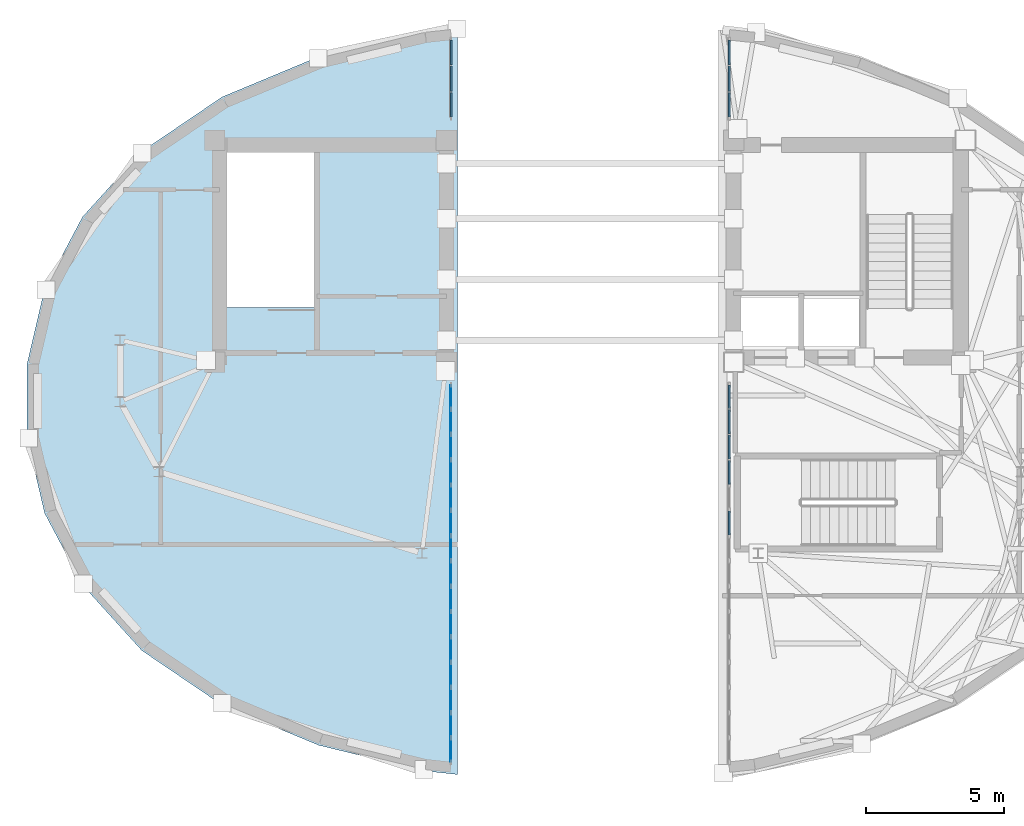
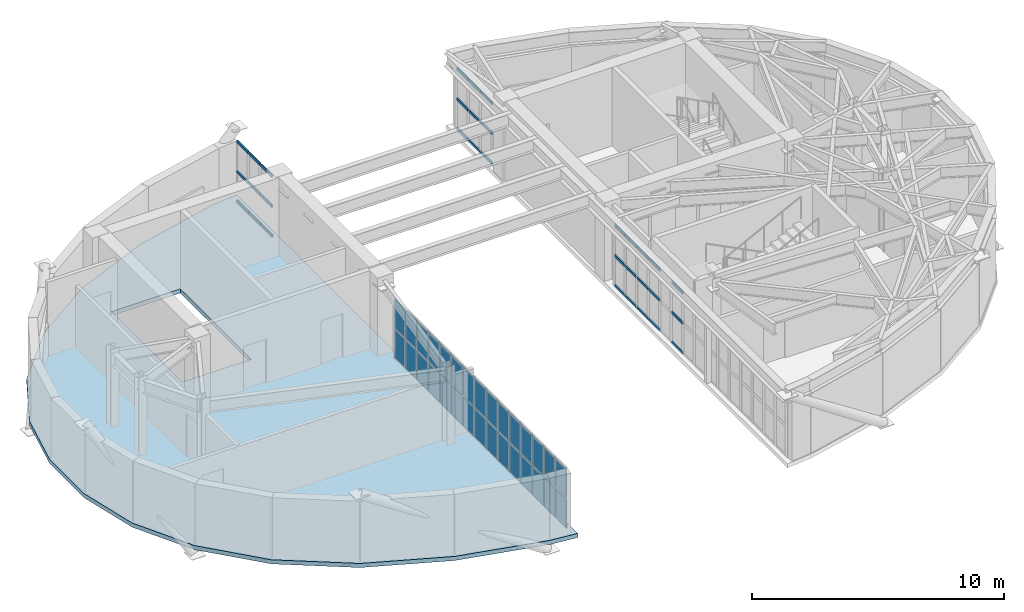
# One storey, part 7 of 13: 33 members, 30 plates, 1 slab, 4 elements without a shape of their own.
"""IFC4 building model written with IfcOpenShell, lengths in metres."""

from ifc_helpers import new_model, si_unit, direction, frame, origin, origin_2d, place, context, subcontext, project, spatial, polyline, rectangle, outline, extrude, material, layer, layer_set, material_profile, profile_set, type_object, element, aggregate, save


model = new_model("IFC4")

# Units and contexts
model_context = context("Model", 3, precision=1e-05, world=origin(), true_north=direction((0.0, 1.0)))
body_context = subcontext(model_context, "Body", "Model", "MODEL_VIEW")
ifc_project = project(units=[si_unit("LENGTHUNIT", "METRE"), si_unit("AREAUNIT", "SQUARE_METRE"), si_unit("VOLUMEUNIT", "CUBIC_METRE"), si_unit("PLANEANGLEUNIT", "RADIAN"), si_unit("MASSUNIT", "GRAM", prefix="KILO")], contexts=[model_context])

# Site, building, storey
site_placement = place(None, origin())
site = spatial("IfcSite", under=ifc_project, at=site_placement, CompositionType="ELEMENT")
building_placement = place(site_placement, origin())
building = spatial("IfcBuilding", under=site, at=building_placement, Name="Keldmark Tower", CompositionType="ELEMENT")
storey_placement = place(building_placement, frame((0.0, 0.0, 280.60009765625)))
storey = spatial("IfcBuildingStorey", under=building, at=storey_placement, Name="L79", CompositionType="ELEMENT", Elevation=280.60009765625)

# Curtain wall, members
ifc_material_1 = material(Name="Unitized Thermally Broken Aluminum and Triple Low-E Glazing", Category="aluminium")
ifc_layer_1 = layer(ifc_material_1, 0.219970703125)
ifc_layer_set_1 = layer_set([ifc_layer_1], Name="Unitized Thermally Broken Aluminum and Triple Low-E Glazing")
curtain_wall_type = type_object("IfcCurtainWallType", Name="Split-Top Crown Lantern Curtain Wall System", PredefinedType="NOTDEFINED", material=ifc_layer_set_1)
curtain_wall_1_placement = place(storey_placement, origin())
curtain_wall_1 = element("IfcCurtainWall", 1, at=curtain_wall_1_placement, inside=storey, type_object=curtain_wall_type, Name="L79 Split-Top Crown Lantern Curtain Wall System CW-L79-ES14-0", PredefinedType="NOTDEFINED")
ifc_material_2 = material(Name="Extruded Aluminum Alloy 6063-T6", Category="aluminium")
ifc_material_profile = material_profile(ifc_material_2, rectangle(XDim=0.06005859375, YDim=0.139892578125, at=origin_2d()), Name="CWT60X140")
ifc_profile_set = profile_set([ifc_material_profile], Name="Extruded Aluminum Alloy 6063-T6")
member_type = type_object("IfcMemberType", Name="Curtain Wall Horizontal Transom 60x140", PredefinedType="USERDEFINED", material=ifc_profile_set)
member_1_placement = place(storey_placement, frame((5.0400390625, 13.064697265625, 0.02978515625), z_axis=(0.0, -1.0, 0.0), x_axis=(1.0, 0.0, 0.0)))
member_1 = element("IfcMember", 2, at=member_1_placement, type_object=member_type, Name="CW transom 1.1", ObjectType="TRANSOM", PredefinedType="USERDEFINED", context=body_context, shape_type="SweptSolid", body=[
    extrude(rectangle(XDim=0.06005859375, YDim=0.139892578125, at=origin_2d()), origin(), (0.0, 0.0, 1.0), 0.875244140625),
])
member_2_placement = place(storey_placement, frame((5.0400390625, 13.064697265625, 1.48291015625), z_axis=(0.0, -1.0, 0.0), x_axis=(1.0, 0.0, 0.0)))
member_2 = element("IfcMember", 3, at=member_2_placement, type_object=member_type, Name="CW transom 1.2", ObjectType="TRANSOM", PredefinedType="USERDEFINED", context=body_context, shape_type="SweptSolid", body=[
    extrude(rectangle(XDim=0.06005859375, YDim=0.139892578125, at=origin_2d()), origin(), (0.0, 0.0, 1.0), 0.875244140625),
])
member_3_placement = place(storey_placement, frame((5.0400390625, 13.064697265625, 2.935791015625), z_axis=(0.0, -1.0, 0.0), x_axis=(1.0, 0.0, 0.0)))
member_3 = element("IfcMember", 4, at=member_3_placement, type_object=member_type, Name="CW transom 1.3", ObjectType="TRANSOM", PredefinedType="USERDEFINED", context=body_context, shape_type="SweptSolid", body=[
    extrude(rectangle(XDim=0.06005859375, YDim=0.139892578125, at=origin_2d()), origin(), (0.0, 0.0, 1.0), 0.875244140625),
])
member_4_placement = place(storey_placement, frame((5.0400390625, 12.12939453125, 0.02978515625), z_axis=(0.0, -1.0, 0.0), x_axis=(1.0, 0.0, 0.0)))
member_4 = element("IfcMember", 5, at=member_4_placement, type_object=member_type, Name="CW transom 2.1", ObjectType="TRANSOM", PredefinedType="USERDEFINED", context=body_context, shape_type="SweptSolid", body=[
    extrude(rectangle(XDim=0.06005859375, YDim=0.139892578125, at=origin_2d()), origin(), (0.0, 0.0, 1.0), 0.905517578125),
])
member_5_placement = place(storey_placement, frame((5.0400390625, 12.12939453125, 1.48291015625), z_axis=(0.0, -1.0, 0.0), x_axis=(1.0, 0.0, 0.0)))
member_5 = element("IfcMember", 6, at=member_5_placement, type_object=member_type, Name="CW transom 2.2", ObjectType="TRANSOM", PredefinedType="USERDEFINED", context=body_context, shape_type="SweptSolid", body=[
    extrude(rectangle(XDim=0.06005859375, YDim=0.139892578125, at=origin_2d()), origin(), (0.0, 0.0, 1.0), 0.905517578125),
])
member_6_placement = place(storey_placement, frame((5.0400390625, 12.12939453125, 2.935791015625), z_axis=(0.0, -1.0, 0.0), x_axis=(1.0, 0.0, 0.0)))
member_6 = element("IfcMember", 7, at=member_6_placement, type_object=member_type, Name="CW transom 2.3", ObjectType="TRANSOM", PredefinedType="USERDEFINED", context=body_context, shape_type="SweptSolid", body=[
    extrude(rectangle(XDim=0.06005859375, YDim=0.139892578125, at=origin_2d()), origin(), (0.0, 0.0, 1.0), 0.905517578125),
])
member_7_placement = place(storey_placement, frame((5.0400390625, 11.163818359375, 0.02978515625), z_axis=(0.0, -1.0, 0.0), x_axis=(1.0, 0.0, 0.0)))
member_7 = element("IfcMember", 8, at=member_7_placement, type_object=member_type, Name="CW transom 3.1", ObjectType="TRANSOM", PredefinedType="USERDEFINED", context=body_context, shape_type="SweptSolid", body=[
    extrude(rectangle(XDim=0.06005859375, YDim=0.139892578125, at=origin_2d()), origin(), (0.0, 0.0, 1.0), 0.875244140625),
])
member_8_placement = place(storey_placement, frame((5.0400390625, 11.163818359375, 1.48291015625), z_axis=(0.0, -1.0, 0.0), x_axis=(1.0, 0.0, 0.0)))
member_8 = element("IfcMember", 9, at=member_8_placement, type_object=member_type, Name="CW transom 3.2", ObjectType="TRANSOM", PredefinedType="USERDEFINED", context=body_context, shape_type="SweptSolid", body=[
    extrude(rectangle(XDim=0.06005859375, YDim=0.139892578125, at=origin_2d()), origin(), (0.0, 0.0, 1.0), 0.875244140625),
])
member_9_placement = place(storey_placement, frame((5.0400390625, 11.163818359375, 2.935791015625), z_axis=(0.0, -1.0, 0.0), x_axis=(1.0, 0.0, 0.0)))
member_9 = element("IfcMember", 10, at=member_9_placement, type_object=member_type, Name="CW transom 3.3", ObjectType="TRANSOM", PredefinedType="USERDEFINED", context=body_context, shape_type="SweptSolid", body=[
    extrude(rectangle(XDim=0.06005859375, YDim=0.139892578125, at=origin_2d()), origin(), (0.0, 0.0, 1.0), 0.875244140625),
])
aggregate(curtain_wall_1, [member_1, member_2, member_3, member_4, member_5, member_6, member_7, member_8, member_9])

curtain_wall_2_placement = place(storey_placement, origin())
curtain_wall_2 = element("IfcCurtainWall", 11, at=curtain_wall_2_placement, inside=storey, type_object=curtain_wall_type, Name="L79 Split-Top Crown Lantern Curtain Wall System CW-L79-ES14-1", PredefinedType="NOTDEFINED")
member_10_placement = place(storey_placement, frame((5.0400390625, 0.5615234375, 0.02978515625), z_axis=(0.0, -1.0, 0.0), x_axis=(1.0, 0.0, 0.0)))
member_10 = element("IfcMember", 12, at=member_10_placement, type_object=member_type, Name="CW transom 1.1", ObjectType="TRANSOM", PredefinedType="USERDEFINED", context=body_context, shape_type="SweptSolid", body=[
    extrude(rectangle(XDim=0.06005859375, YDim=0.139892578125, at=origin_2d()), origin(), (0.0, 0.0, 1.0), 0.826416015625),
])
member_11_placement = place(storey_placement, frame((5.0400390625, 0.5615234375, 1.48291015625), z_axis=(0.0, -1.0, 0.0), x_axis=(1.0, 0.0, 0.0)))
member_11 = element("IfcMember", 13, at=member_11_placement, type_object=member_type, Name="CW transom 1.2", ObjectType="TRANSOM", PredefinedType="USERDEFINED", context=body_context, shape_type="SweptSolid", body=[
    extrude(rectangle(XDim=0.06005859375, YDim=0.139892578125, at=origin_2d()), origin(), (0.0, 0.0, 1.0), 0.826416015625),
])
member_12_placement = place(storey_placement, frame((5.0400390625, 0.5615234375, 2.935791015625), z_axis=(0.0, -1.0, 0.0), x_axis=(1.0, 0.0, 0.0)))
member_12 = element("IfcMember", 14, at=member_12_placement, type_object=member_type, Name="CW transom 1.3", ObjectType="TRANSOM", PredefinedType="USERDEFINED", context=body_context, shape_type="SweptSolid", body=[
    extrude(rectangle(XDim=0.06005859375, YDim=0.139892578125, at=origin_2d()), origin(), (0.0, 0.0, 1.0), 0.826416015625),
])
member_13_placement = place(storey_placement, frame((5.0400390625, -0.324951171875, 0.02978515625), z_axis=(0.0, -1.0, 0.0), x_axis=(1.0, 0.0, 0.0)))
member_13 = element("IfcMember", 15, at=member_13_placement, type_object=member_type, Name="CW transom 2.1", ObjectType="TRANSOM", PredefinedType="USERDEFINED", context=body_context, shape_type="SweptSolid", body=[
    extrude(rectangle(XDim=0.06005859375, YDim=0.139892578125, at=origin_2d()), origin(), (0.0, 0.0, 1.0), 0.8564453125),
])
member_14_placement = place(storey_placement, frame((5.0400390625, -0.324951171875, 1.48291015625), z_axis=(0.0, -1.0, 0.0), x_axis=(1.0, 0.0, 0.0)))
member_14 = element("IfcMember", 16, at=member_14_placement, type_object=member_type, Name="CW transom 2.2", ObjectType="TRANSOM", PredefinedType="USERDEFINED", context=body_context, shape_type="SweptSolid", body=[
    extrude(rectangle(XDim=0.06005859375, YDim=0.139892578125, at=origin_2d()), origin(), (0.0, 0.0, 1.0), 0.8564453125),
])
member_15_placement = place(storey_placement, frame((5.0400390625, -0.324951171875, 2.935791015625), z_axis=(0.0, -1.0, 0.0), x_axis=(1.0, 0.0, 0.0)))
member_15 = element("IfcMember", 17, at=member_15_placement, type_object=member_type, Name="CW transom 2.3", ObjectType="TRANSOM", PredefinedType="USERDEFINED", context=body_context, shape_type="SweptSolid", body=[
    extrude(rectangle(XDim=0.06005859375, YDim=0.139892578125, at=origin_2d()), origin(), (0.0, 0.0, 1.0), 0.8564453125),
])
member_16_placement = place(storey_placement, frame((5.0400390625, -1.241455078125, 0.02978515625), z_axis=(0.0, -1.0, 0.0), x_axis=(1.0, 0.0, 0.0)))
member_16 = element("IfcMember", 18, at=member_16_placement, type_object=member_type, Name="CW transom 3.1", ObjectType="TRANSOM", PredefinedType="USERDEFINED", context=body_context, shape_type="SweptSolid", body=[
    extrude(rectangle(XDim=0.06005859375, YDim=0.139892578125, at=origin_2d()), origin(), (0.0, 0.0, 1.0), 0.856201171875),
])
member_17_placement = place(storey_placement, frame((5.0400390625, -1.241455078125, 1.48291015625), z_axis=(0.0, -1.0, 0.0), x_axis=(1.0, 0.0, 0.0)))
member_17 = element("IfcMember", 19, at=member_17_placement, type_object=member_type, Name="CW transom 3.2", ObjectType="TRANSOM", PredefinedType="USERDEFINED", context=body_context, shape_type="SweptSolid", body=[
    extrude(rectangle(XDim=0.06005859375, YDim=0.139892578125, at=origin_2d()), origin(), (0.0, 0.0, 1.0), 0.856201171875),
])
member_18_placement = place(storey_placement, frame((5.0400390625, -1.241455078125, 2.935791015625), z_axis=(0.0, -1.0, 0.0), x_axis=(1.0, 0.0, 0.0)))
member_18 = element("IfcMember", 20, at=member_18_placement, type_object=member_type, Name="CW transom 3.3", ObjectType="TRANSOM", PredefinedType="USERDEFINED", context=body_context, shape_type="SweptSolid", body=[
    extrude(rectangle(XDim=0.06005859375, YDim=0.139892578125, at=origin_2d()), origin(), (0.0, 0.0, 1.0), 0.856201171875),
])
member_19_placement = place(storey_placement, frame((5.0400390625, -2.15771484375, 0.02978515625), z_axis=(0.0, -1.0, 0.0), x_axis=(1.0, 0.0, 0.0)))
member_19 = element("IfcMember", 21, at=member_19_placement, type_object=member_type, Name="CW transom 4.1", ObjectType="TRANSOM", PredefinedType="USERDEFINED", context=body_context, shape_type="SweptSolid", body=[
    extrude(rectangle(XDim=0.06005859375, YDim=0.139892578125, at=origin_2d()), origin(), (0.0, 0.0, 1.0), 0.8564453125),
])
member_20_placement = place(storey_placement, frame((5.0400390625, -2.15771484375, 1.48291015625), z_axis=(0.0, -1.0, 0.0), x_axis=(1.0, 0.0, 0.0)))
member_20 = element("IfcMember", 22, at=member_20_placement, type_object=member_type, Name="CW transom 4.2", ObjectType="TRANSOM", PredefinedType="USERDEFINED", context=body_context, shape_type="SweptSolid", body=[
    extrude(rectangle(XDim=0.06005859375, YDim=0.139892578125, at=origin_2d()), origin(), (0.0, 0.0, 1.0), 0.8564453125),
])
member_21_placement = place(storey_placement, frame((5.0400390625, -2.15771484375, 2.935791015625), z_axis=(0.0, -1.0, 0.0), x_axis=(1.0, 0.0, 0.0)))
member_21 = element("IfcMember", 23, at=member_21_placement, type_object=member_type, Name="CW transom 4.3", ObjectType="TRANSOM", PredefinedType="USERDEFINED", context=body_context, shape_type="SweptSolid", body=[
    extrude(rectangle(XDim=0.06005859375, YDim=0.139892578125, at=origin_2d()), origin(), (0.0, 0.0, 1.0), 0.8564453125),
])
member_22_placement = place(storey_placement, frame((5.0400390625, -3.990478515625, 0.02978515625), z_axis=(0.0, -1.0, 0.0), x_axis=(1.0, 0.0, 0.0)))
member_22 = element("IfcMember", 24, at=member_22_placement, type_object=member_type, Name="CW transom 6.1", ObjectType="TRANSOM", PredefinedType="USERDEFINED", context=body_context, shape_type="SweptSolid", body=[
    extrude(rectangle(XDim=0.06005859375, YDim=0.139892578125, at=origin_2d()), origin(), (0.0, 0.0, 1.0), 0.8564453125),
])
member_23_placement = place(storey_placement, frame((5.0400390625, -3.990478515625, 1.48291015625), z_axis=(0.0, -1.0, 0.0), x_axis=(1.0, 0.0, 0.0)))
member_23 = element("IfcMember", 25, at=member_23_placement, type_object=member_type, Name="CW transom 6.2", ObjectType="TRANSOM", PredefinedType="USERDEFINED", context=body_context, shape_type="SweptSolid", body=[
    extrude(rectangle(XDim=0.06005859375, YDim=0.139892578125, at=origin_2d()), origin(), (0.0, 0.0, 1.0), 0.8564453125),
])
member_24_placement = place(storey_placement, frame((5.0400390625, -3.990478515625, 2.935791015625), z_axis=(0.0, -1.0, 0.0), x_axis=(1.0, 0.0, 0.0)))
member_24 = element("IfcMember", 26, at=member_24_placement, type_object=member_type, Name="CW transom 6.3", ObjectType="TRANSOM", PredefinedType="USERDEFINED", context=body_context, shape_type="SweptSolid", body=[
    extrude(rectangle(XDim=0.06005859375, YDim=0.139892578125, at=origin_2d()), origin(), (0.0, 0.0, 1.0), 0.8564453125),
])
aggregate(curtain_wall_2, [member_10, member_11, member_12, member_13, member_14, member_15, member_16, member_17, member_18, member_19, member_20, member_21, member_22, member_23, member_24])

curtain_wall_3_placement = place(storey_placement, origin())
curtain_wall_3 = element("IfcCurtainWall", 27, at=curtain_wall_3_placement, inside=storey, type_object=curtain_wall_type, Name="L79 Split-Top Crown Lantern Curtain Wall System CW-L79-WS14-1", PredefinedType="NOTDEFINED")
member_25_placement = place(storey_placement, frame((-5.0400390625, 10.28857421875, 0.02978515625), z_axis=(0.0, 1.0, 0.0), x_axis=(-1.0, 0.0, 0.0)))
member_25 = element("IfcMember", 28, at=member_25_placement, type_object=member_type, Name="CW transom 1.1", ObjectType="TRANSOM", PredefinedType="USERDEFINED", context=body_context, shape_type="SweptSolid", body=[
    extrude(rectangle(XDim=0.06005859375, YDim=0.139892578125, at=origin_2d()), origin(), (0.0, 0.0, 1.0), 0.875244140625),
])
member_26_placement = place(storey_placement, frame((-5.0400390625, 10.28857421875, 1.48291015625), z_axis=(0.0, 1.0, 0.0), x_axis=(-1.0, 0.0, 0.0)))
member_26 = element("IfcMember", 29, at=member_26_placement, type_object=member_type, Name="CW transom 1.2", ObjectType="TRANSOM", PredefinedType="USERDEFINED", context=body_context, shape_type="SweptSolid", body=[
    extrude(rectangle(XDim=0.06005859375, YDim=0.139892578125, at=origin_2d()), origin(), (0.0, 0.0, 1.0), 0.875244140625),
])
member_27_placement = place(storey_placement, frame((-5.0400390625, 10.28857421875, 2.935791015625), z_axis=(0.0, 1.0, 0.0), x_axis=(-1.0, 0.0, 0.0)))
member_27 = element("IfcMember", 30, at=member_27_placement, type_object=member_type, Name="CW transom 1.3", ObjectType="TRANSOM", PredefinedType="USERDEFINED", context=body_context, shape_type="SweptSolid", body=[
    extrude(rectangle(XDim=0.06005859375, YDim=0.139892578125, at=origin_2d()), origin(), (0.0, 0.0, 1.0), 0.875244140625),
])
member_28_placement = place(storey_placement, frame((-5.0400390625, 11.223876953125, 0.02978515625), z_axis=(0.0, 1.0, 0.0), x_axis=(-1.0, 0.0, 0.0)))
member_28 = element("IfcMember", 31, at=member_28_placement, type_object=member_type, Name="CW transom 2.1", ObjectType="TRANSOM", PredefinedType="USERDEFINED", context=body_context, shape_type="SweptSolid", body=[
    extrude(rectangle(XDim=0.06005859375, YDim=0.139892578125, at=origin_2d()), origin(), (0.0, 0.0, 1.0), 0.905517578125),
])
member_29_placement = place(storey_placement, frame((-5.0400390625, 11.223876953125, 1.48291015625), z_axis=(0.0, 1.0, 0.0), x_axis=(-1.0, 0.0, 0.0)))
member_29 = element("IfcMember", 32, at=member_29_placement, type_object=member_type, Name="CW transom 2.2", ObjectType="TRANSOM", PredefinedType="USERDEFINED", context=body_context, shape_type="SweptSolid", body=[
    extrude(rectangle(XDim=0.06005859375, YDim=0.139892578125, at=origin_2d()), origin(), (0.0, 0.0, 1.0), 0.905517578125),
])
member_30_placement = place(storey_placement, frame((-5.0400390625, 11.223876953125, 2.935791015625), z_axis=(0.0, 1.0, 0.0), x_axis=(-1.0, 0.0, 0.0)))
member_30 = element("IfcMember", 33, at=member_30_placement, type_object=member_type, Name="CW transom 2.3", ObjectType="TRANSOM", PredefinedType="USERDEFINED", context=body_context, shape_type="SweptSolid", body=[
    extrude(rectangle(XDim=0.06005859375, YDim=0.139892578125, at=origin_2d()), origin(), (0.0, 0.0, 1.0), 0.905517578125),
])
member_31_placement = place(storey_placement, frame((-5.0400390625, 12.189453125, 0.02978515625), z_axis=(0.0, 1.0, 0.0), x_axis=(-1.0, 0.0, 0.0)))
member_31 = element("IfcMember", 34, at=member_31_placement, type_object=member_type, Name="CW transom 3.1", ObjectType="TRANSOM", PredefinedType="USERDEFINED", context=body_context, shape_type="SweptSolid", body=[
    extrude(rectangle(XDim=0.06005859375, YDim=0.139892578125, at=origin_2d()), origin(), (0.0, 0.0, 1.0), 0.875244140625),
])
member_32_placement = place(storey_placement, frame((-5.0400390625, 12.189453125, 1.48291015625), z_axis=(0.0, 1.0, 0.0), x_axis=(-1.0, 0.0, 0.0)))
member_32 = element("IfcMember", 35, at=member_32_placement, type_object=member_type, Name="CW transom 3.2", ObjectType="TRANSOM", PredefinedType="USERDEFINED", context=body_context, shape_type="SweptSolid", body=[
    extrude(rectangle(XDim=0.06005859375, YDim=0.139892578125, at=origin_2d()), origin(), (0.0, 0.0, 1.0), 0.875244140625),
])
member_33_placement = place(storey_placement, frame((-5.0400390625, 12.189453125, 2.935791015625), z_axis=(0.0, 1.0, 0.0), x_axis=(-1.0, 0.0, 0.0)))
member_33 = element("IfcMember", 36, at=member_33_placement, type_object=member_type, Name="CW transom 3.3", ObjectType="TRANSOM", PredefinedType="USERDEFINED", context=body_context, shape_type="SweptSolid", body=[
    extrude(rectangle(XDim=0.06005859375, YDim=0.139892578125, at=origin_2d()), origin(), (0.0, 0.0, 1.0), 0.875244140625),
])
aggregate(curtain_wall_3, [member_25, member_26, member_27, member_28, member_29, member_30, member_31, member_32, member_33])

# Slab
ifc_material_3 = material(Name="Concrete C35/45", Category="concrete")
ifc_layer_2 = layer(ifc_material_3, 0.199951171875)
ifc_layer_set_2 = layer_set([ifc_layer_2], Name="Concrete C35/45")
slab_type = type_object("IfcSlabType", Name="Low-Rise Office Composite Slab 200 mm", PredefinedType="FLOOR", material=ifc_layer_set_2)
slab_placement = place(storey_placement, frame((0.0, 0.0, -0.2001953125)))
element("IfcSlab", 37, at=slab_placement, inside=storey, type_object=slab_type, Name="L79 West Crown Plant Floor Slab", PredefinedType="FLOOR", context=body_context, shape_type="SweptSolid", body=[
    extrude(outline(polyline([(-5.994140625, -13.403564453125), (-9.8291015625, -12.473388671875), (-13.327880859375, -11.015869140625), (-16.239990234375, -9.04052734375), (-18.388916015625, -6.667236328125), (-19.760009765625, -4.06591796875), (-20.392333984375, -1.3623046875), (-20.392333984375, 1.3623046875), (-19.760009765625, 4.06591796875), (-18.388916015625, 6.667236328125), (-16.239990234375, 9.04052734375), (-13.327880859375, 11.015869140625), (-9.8291015625, 12.473388671875), (-5.994140625, 13.403564453125), (-4.800048828125, 13.531982421875), (-4.800048828125, -13.531982421875), (-5.994140625, -13.403564453125)]), holes=[polyline([(-10.0, 3.385009765625), (-10.0, 9.0), (-13.14990234375, 9.0), (-13.14990234375, 3.385009765625), (-10.0, 3.385009765625)])]), origin(), (0.0, 0.0, 1.0), 0.2001953125),
])

# Curtain wall, plates
curtain_wall_4_placement = place(storey_placement, origin())
curtain_wall_4 = element("IfcCurtainWall", 38, at=curtain_wall_4_placement, inside=storey, type_object=curtain_wall_type, Name="L79 Split-Top Crown Lantern Curtain Wall System CW-L79-WS14-0", PredefinedType="NOTDEFINED")
ifc_material_4 = material(Name="Triple Silver Low-E Insulated Glass Unit", Category="glass")
ifc_layer_3 = layer(ifc_material_4, 0.035888671875)
ifc_layer_set_3 = layer_set([ifc_layer_3], Name="Triple Silver Low-E Insulated Glass Unit")
plate_type = type_object("IfcPlateType", Name="Triple Low-E Vision Glazing Panel 36 mm", PredefinedType="CURTAIN_PANEL", material=ifc_layer_set_3)
plate_1_placement = place(storey_placement, frame((-5.0400390625, -12.651611328125, 0.059814453125), z_axis=(0.0, 0.0, 1.0), x_axis=(0.0, 1.0, 0.0)))
plate_1 = element("IfcPlate", 39, at=plate_1_placement, type_object=plate_type, Name="CW panel 1.1", PredefinedType="CURTAIN_PANEL", context=body_context, shape_type="SweptSolid", body=[
    extrude(rectangle(XDim=0.826416015625, YDim=0.035888671875, at=origin_2d()), origin(), (0.0, 0.0, 1.0), 1.39306640625),
])
plate_2_placement = place(storey_placement, frame((-5.0400390625, -12.651611328125, 1.512939453125), z_axis=(0.0, 0.0, 1.0), x_axis=(0.0, 1.0, 0.0)))
plate_2 = element("IfcPlate", 40, at=plate_2_placement, type_object=plate_type, Name="CW panel 1.2", PredefinedType="CURTAIN_PANEL", context=body_context, shape_type="SweptSolid", body=[
    extrude(rectangle(XDim=0.826416015625, YDim=0.035888671875, at=origin_2d()), origin(), (0.0, 0.0, 1.0), 1.39306640625),
])
plate_3_placement = place(storey_placement, frame((-5.0400390625, -11.750244140625, 0.059814453125), z_axis=(0.0, 0.0, 1.0), x_axis=(0.0, 1.0, 0.0)))
plate_3 = element("IfcPlate", 41, at=plate_3_placement, type_object=plate_type, Name="CW panel 2.1", PredefinedType="CURTAIN_PANEL", context=body_context, shape_type="SweptSolid", body=[
    extrude(rectangle(XDim=0.8564453125, YDim=0.035888671875, at=origin_2d()), origin(), (0.0, 0.0, 1.0), 1.39306640625),
])
plate_4_placement = place(storey_placement, frame((-5.0400390625, -11.750244140625, 1.512939453125), z_axis=(0.0, 0.0, 1.0), x_axis=(0.0, 1.0, 0.0)))
plate_4 = element("IfcPlate", 42, at=plate_4_placement, type_object=plate_type, Name="CW panel 2.2", PredefinedType="CURTAIN_PANEL", context=body_context, shape_type="SweptSolid", body=[
    extrude(rectangle(XDim=0.8564453125, YDim=0.035888671875, at=origin_2d()), origin(), (0.0, 0.0, 1.0), 1.39306640625),
])
plate_5_placement = place(storey_placement, frame((-5.0400390625, -10.833740234375, 0.059814453125), z_axis=(0.0, 0.0, 1.0), x_axis=(0.0, 1.0, 0.0)))
plate_5 = element("IfcPlate", 43, at=plate_5_placement, type_object=plate_type, Name="CW panel 3.1", PredefinedType="CURTAIN_PANEL", context=body_context, shape_type="SweptSolid", body=[
    extrude(rectangle(XDim=0.8564453125, YDim=0.035888671875, at=origin_2d()), origin(), (0.0, 0.0, 1.0), 1.39306640625),
])
plate_6_placement = place(storey_placement, frame((-5.0400390625, -10.833740234375, 1.512939453125), z_axis=(0.0, 0.0, 1.0), x_axis=(0.0, 1.0, 0.0)))
plate_6 = element("IfcPlate", 44, at=plate_6_placement, type_object=plate_type, Name="CW panel 3.2", PredefinedType="CURTAIN_PANEL", context=body_context, shape_type="SweptSolid", body=[
    extrude(rectangle(XDim=0.8564453125, YDim=0.035888671875, at=origin_2d()), origin(), (0.0, 0.0, 1.0), 1.39306640625),
])
plate_7_placement = place(storey_placement, frame((-5.0400390625, -9.917236328125, 0.059814453125), z_axis=(0.0, 0.0, 1.0), x_axis=(0.0, 1.0, 0.0)))
plate_7 = element("IfcPlate", 45, at=plate_7_placement, type_object=plate_type, Name="CW panel 4.1", PredefinedType="CURTAIN_PANEL", context=body_context, shape_type="SweptSolid", body=[
    extrude(rectangle(XDim=0.8564453125, YDim=0.035888671875, at=origin_2d()), origin(), (0.0, 0.0, 1.0), 1.39306640625),
])
plate_8_placement = place(storey_placement, frame((-5.0400390625, -9.917236328125, 1.512939453125), z_axis=(0.0, 0.0, 1.0), x_axis=(0.0, 1.0, 0.0)))
plate_8 = element("IfcPlate", 46, at=plate_8_placement, type_object=plate_type, Name="CW panel 4.2", PredefinedType="CURTAIN_PANEL", context=body_context, shape_type="SweptSolid", body=[
    extrude(rectangle(XDim=0.8564453125, YDim=0.035888671875, at=origin_2d()), origin(), (0.0, 0.0, 1.0), 1.39306640625),
])
plate_9_placement = place(storey_placement, frame((-5.0400390625, -9.0009765625, 0.059814453125), z_axis=(0.0, 0.0, 1.0), x_axis=(0.0, 1.0, 0.0)))
plate_9 = element("IfcPlate", 47, at=plate_9_placement, type_object=plate_type, Name="CW panel 5.1", PredefinedType="CURTAIN_PANEL", context=body_context, shape_type="SweptSolid", body=[
    extrude(rectangle(XDim=0.8564453125, YDim=0.035888671875, at=origin_2d()), origin(), (0.0, 0.0, 1.0), 1.39306640625),
])
plate_10_placement = place(storey_placement, frame((-5.0400390625, -9.0009765625, 1.512939453125), z_axis=(0.0, 0.0, 1.0), x_axis=(0.0, 1.0, 0.0)))
plate_10 = element("IfcPlate", 48, at=plate_10_placement, type_object=plate_type, Name="CW panel 5.2", PredefinedType="CURTAIN_PANEL", context=body_context, shape_type="SweptSolid", body=[
    extrude(rectangle(XDim=0.8564453125, YDim=0.035888671875, at=origin_2d()), origin(), (0.0, 0.0, 1.0), 1.39306640625),
])
plate_11_placement = place(storey_placement, frame((-5.0400390625, -8.08447265625, 0.059814453125), z_axis=(0.0, 0.0, 1.0), x_axis=(0.0, 1.0, 0.0)))
plate_11 = element("IfcPlate", 49, at=plate_11_placement, type_object=plate_type, Name="CW panel 6.1", PredefinedType="CURTAIN_PANEL", context=body_context, shape_type="SweptSolid", body=[
    extrude(rectangle(XDim=0.8564453125, YDim=0.035888671875, at=origin_2d()), origin(), (0.0, 0.0, 1.0), 1.39306640625),
])
plate_12_placement = place(storey_placement, frame((-5.0400390625, -8.08447265625, 1.512939453125), z_axis=(0.0, 0.0, 1.0), x_axis=(0.0, 1.0, 0.0)))
plate_12 = element("IfcPlate", 50, at=plate_12_placement, type_object=plate_type, Name="CW panel 6.2", PredefinedType="CURTAIN_PANEL", context=body_context, shape_type="SweptSolid", body=[
    extrude(rectangle(XDim=0.8564453125, YDim=0.035888671875, at=origin_2d()), origin(), (0.0, 0.0, 1.0), 1.39306640625),
])
plate_13_placement = place(storey_placement, frame((-5.0400390625, -7.16796875, 0.059814453125), z_axis=(0.0, 0.0, 1.0), x_axis=(0.0, 1.0, 0.0)))
plate_13 = element("IfcPlate", 51, at=plate_13_placement, type_object=plate_type, Name="CW panel 7.1", PredefinedType="CURTAIN_PANEL", context=body_context, shape_type="SweptSolid", body=[
    extrude(rectangle(XDim=0.8564453125, YDim=0.035888671875, at=origin_2d()), origin(), (0.0, 0.0, 1.0), 1.39306640625),
])
plate_14_placement = place(storey_placement, frame((-5.0400390625, -7.16796875, 1.512939453125), z_axis=(0.0, 0.0, 1.0), x_axis=(0.0, 1.0, 0.0)))
plate_14 = element("IfcPlate", 52, at=plate_14_placement, type_object=plate_type, Name="CW panel 7.2", PredefinedType="CURTAIN_PANEL", context=body_context, shape_type="SweptSolid", body=[
    extrude(rectangle(XDim=0.8564453125, YDim=0.035888671875, at=origin_2d()), origin(), (0.0, 0.0, 1.0), 1.39306640625),
])
plate_15_placement = place(storey_placement, frame((-5.0400390625, -6.251708984375, 0.059814453125), z_axis=(0.0, 0.0, 1.0), x_axis=(0.0, 1.0, 0.0)))
plate_15 = element("IfcPlate", 53, at=plate_15_placement, type_object=plate_type, Name="CW panel 8.1", PredefinedType="CURTAIN_PANEL", context=body_context, shape_type="SweptSolid", body=[
    extrude(rectangle(XDim=0.8564453125, YDim=0.035888671875, at=origin_2d()), origin(), (0.0, 0.0, 1.0), 1.39306640625),
])
plate_16_placement = place(storey_placement, frame((-5.0400390625, -6.251708984375, 1.512939453125), z_axis=(0.0, 0.0, 1.0), x_axis=(0.0, 1.0, 0.0)))
plate_16 = element("IfcPlate", 54, at=plate_16_placement, type_object=plate_type, Name="CW panel 8.2", PredefinedType="CURTAIN_PANEL", context=body_context, shape_type="SweptSolid", body=[
    extrude(rectangle(XDim=0.8564453125, YDim=0.035888671875, at=origin_2d()), origin(), (0.0, 0.0, 1.0), 1.39306640625),
])
plate_17_placement = place(storey_placement, frame((-5.0400390625, -5.335205078125, 0.059814453125), z_axis=(0.0, 0.0, 1.0), x_axis=(0.0, 1.0, 0.0)))
plate_17 = element("IfcPlate", 55, at=plate_17_placement, type_object=plate_type, Name="CW panel 9.1", PredefinedType="CURTAIN_PANEL", context=body_context, shape_type="SweptSolid", body=[
    extrude(rectangle(XDim=0.8564453125, YDim=0.035888671875, at=origin_2d()), origin(), (0.0, 0.0, 1.0), 1.39306640625),
])
plate_18_placement = place(storey_placement, frame((-5.0400390625, -5.335205078125, 1.512939453125), z_axis=(0.0, 0.0, 1.0), x_axis=(0.0, 1.0, 0.0)))
plate_18 = element("IfcPlate", 56, at=plate_18_placement, type_object=plate_type, Name="CW panel 9.2", PredefinedType="CURTAIN_PANEL", context=body_context, shape_type="SweptSolid", body=[
    extrude(rectangle(XDim=0.8564453125, YDim=0.035888671875, at=origin_2d()), origin(), (0.0, 0.0, 1.0), 1.39306640625),
])
plate_19_placement = place(storey_placement, frame((-5.0400390625, -4.418701171875, 0.059814453125), z_axis=(0.0, 0.0, 1.0), x_axis=(0.0, 1.0, 0.0)))
plate_19 = element("IfcPlate", 57, at=plate_19_placement, type_object=plate_type, Name="CW panel 10.1", PredefinedType="CURTAIN_PANEL", context=body_context, shape_type="SweptSolid", body=[
    extrude(rectangle(XDim=0.8564453125, YDim=0.035888671875, at=origin_2d()), origin(), (0.0, 0.0, 1.0), 1.39306640625),
])
plate_20_placement = place(storey_placement, frame((-5.0400390625, -4.418701171875, 1.512939453125), z_axis=(0.0, 0.0, 1.0), x_axis=(0.0, 1.0, 0.0)))
plate_20 = element("IfcPlate", 58, at=plate_20_placement, type_object=plate_type, Name="CW panel 10.2", PredefinedType="CURTAIN_PANEL", context=body_context, shape_type="SweptSolid", body=[
    extrude(rectangle(XDim=0.8564453125, YDim=0.035888671875, at=origin_2d()), origin(), (0.0, 0.0, 1.0), 1.39306640625),
])
plate_21_placement = place(storey_placement, frame((-5.0400390625, -3.50244140625, 0.059814453125), z_axis=(0.0, 0.0, 1.0), x_axis=(0.0, 1.0, 0.0)))
plate_21 = element("IfcPlate", 59, at=plate_21_placement, type_object=plate_type, Name="CW panel 11.1", PredefinedType="CURTAIN_PANEL", context=body_context, shape_type="SweptSolid", body=[
    extrude(rectangle(XDim=0.8564453125, YDim=0.035888671875, at=origin_2d()), origin(), (0.0, 0.0, 1.0), 1.39306640625),
])
plate_22_placement = place(storey_placement, frame((-5.0400390625, -3.50244140625, 1.512939453125), z_axis=(0.0, 0.0, 1.0), x_axis=(0.0, 1.0, 0.0)))
plate_22 = element("IfcPlate", 60, at=plate_22_placement, type_object=plate_type, Name="CW panel 11.2", PredefinedType="CURTAIN_PANEL", context=body_context, shape_type="SweptSolid", body=[
    extrude(rectangle(XDim=0.8564453125, YDim=0.035888671875, at=origin_2d()), origin(), (0.0, 0.0, 1.0), 1.39306640625),
])
plate_23_placement = place(storey_placement, frame((-5.0400390625, -2.5859375, 0.059814453125), z_axis=(0.0, 0.0, 1.0), x_axis=(0.0, 1.0, 0.0)))
plate_23 = element("IfcPlate", 61, at=plate_23_placement, type_object=plate_type, Name="CW panel 12.1", PredefinedType="CURTAIN_PANEL", context=body_context, shape_type="SweptSolid", body=[
    extrude(rectangle(XDim=0.8564453125, YDim=0.035888671875, at=origin_2d()), origin(), (0.0, 0.0, 1.0), 1.39306640625),
])
plate_24_placement = place(storey_placement, frame((-5.0400390625, -2.5859375, 1.512939453125), z_axis=(0.0, 0.0, 1.0), x_axis=(0.0, 1.0, 0.0)))
plate_24 = element("IfcPlate", 62, at=plate_24_placement, type_object=plate_type, Name="CW panel 12.2", PredefinedType="CURTAIN_PANEL", context=body_context, shape_type="SweptSolid", body=[
    extrude(rectangle(XDim=0.8564453125, YDim=0.035888671875, at=origin_2d()), origin(), (0.0, 0.0, 1.0), 1.39306640625),
])
plate_25_placement = place(storey_placement, frame((-5.0400390625, -1.66943359375, 0.059814453125), z_axis=(0.0, 0.0, 1.0), x_axis=(0.0, 1.0, 0.0)))
plate_25 = element("IfcPlate", 63, at=plate_25_placement, type_object=plate_type, Name="CW panel 13.1", PredefinedType="CURTAIN_PANEL", context=body_context, shape_type="SweptSolid", body=[
    extrude(rectangle(XDim=0.8564453125, YDim=0.035888671875, at=origin_2d()), origin(), (0.0, 0.0, 1.0), 1.39306640625),
])
plate_26_placement = place(storey_placement, frame((-5.0400390625, -1.66943359375, 1.512939453125), z_axis=(0.0, 0.0, 1.0), x_axis=(0.0, 1.0, 0.0)))
plate_26 = element("IfcPlate", 64, at=plate_26_placement, type_object=plate_type, Name="CW panel 13.2", PredefinedType="CURTAIN_PANEL", context=body_context, shape_type="SweptSolid", body=[
    extrude(rectangle(XDim=0.8564453125, YDim=0.035888671875, at=origin_2d()), origin(), (0.0, 0.0, 1.0), 1.39306640625),
])
plate_27_placement = place(storey_placement, frame((-5.0400390625, -0.753173828125, 0.059814453125), z_axis=(0.0, 0.0, 1.0), x_axis=(0.0, 1.0, 0.0)))
plate_27 = element("IfcPlate", 65, at=plate_27_placement, type_object=plate_type, Name="CW panel 14.1", PredefinedType="CURTAIN_PANEL", context=body_context, shape_type="SweptSolid", body=[
    extrude(rectangle(XDim=0.8564453125, YDim=0.035888671875, at=origin_2d()), origin(), (0.0, 0.0, 1.0), 1.39306640625),
])
plate_28_placement = place(storey_placement, frame((-5.0400390625, -0.753173828125, 1.512939453125), z_axis=(0.0, 0.0, 1.0), x_axis=(0.0, 1.0, 0.0)))
plate_28 = element("IfcPlate", 66, at=plate_28_placement, type_object=plate_type, Name="CW panel 14.2", PredefinedType="CURTAIN_PANEL", context=body_context, shape_type="SweptSolid", body=[
    extrude(rectangle(XDim=0.8564453125, YDim=0.035888671875, at=origin_2d()), origin(), (0.0, 0.0, 1.0), 1.39306640625),
])
plate_29_placement = place(storey_placement, frame((-5.0400390625, 0.148193359375, 0.059814453125), z_axis=(0.0, 0.0, 1.0), x_axis=(0.0, 1.0, 0.0)))
plate_29 = element("IfcPlate", 67, at=plate_29_placement, type_object=plate_type, Name="CW panel 15.1", PredefinedType="CURTAIN_PANEL", context=body_context, shape_type="SweptSolid", body=[
    extrude(rectangle(XDim=0.826416015625, YDim=0.035888671875, at=origin_2d()), origin(), (0.0, 0.0, 1.0), 1.39306640625),
])
plate_30_placement = place(storey_placement, frame((-5.0400390625, 0.148193359375, 1.512939453125), z_axis=(0.0, 0.0, 1.0), x_axis=(0.0, 1.0, 0.0)))
plate_30 = element("IfcPlate", 68, at=plate_30_placement, type_object=plate_type, Name="CW panel 15.2", PredefinedType="CURTAIN_PANEL", context=body_context, shape_type="SweptSolid", body=[
    extrude(rectangle(XDim=0.826416015625, YDim=0.035888671875, at=origin_2d()), origin(), (0.0, 0.0, 1.0), 1.39306640625),
])
aggregate(curtain_wall_4, [plate_1, plate_2, plate_3, plate_4, plate_5, plate_6, plate_7, plate_8, plate_9, plate_10, plate_11, plate_12, plate_13, plate_14, plate_15, plate_16, plate_17, plate_18, plate_19, plate_20, plate_21, plate_22, plate_23, plate_24, plate_25, plate_26, plate_27, plate_28, plate_29, plate_30])

save(model, "model.ifc")
